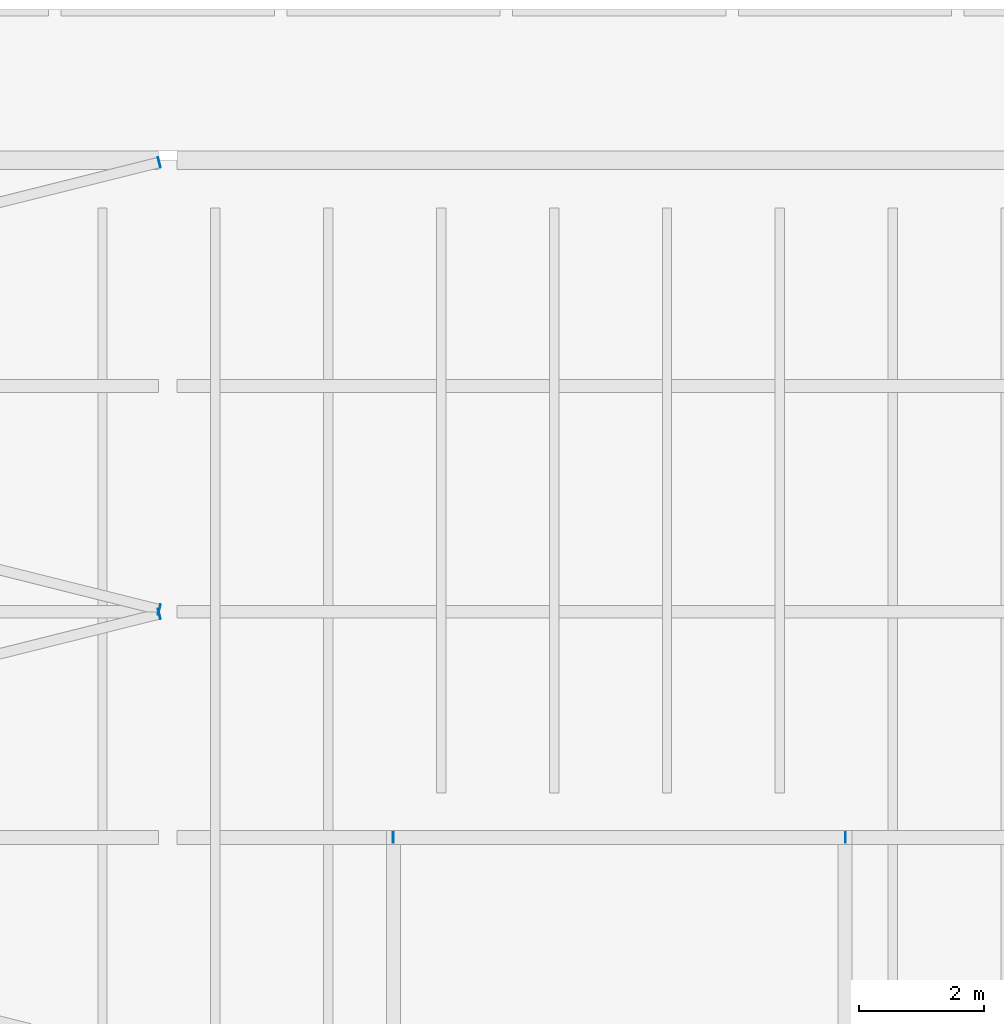
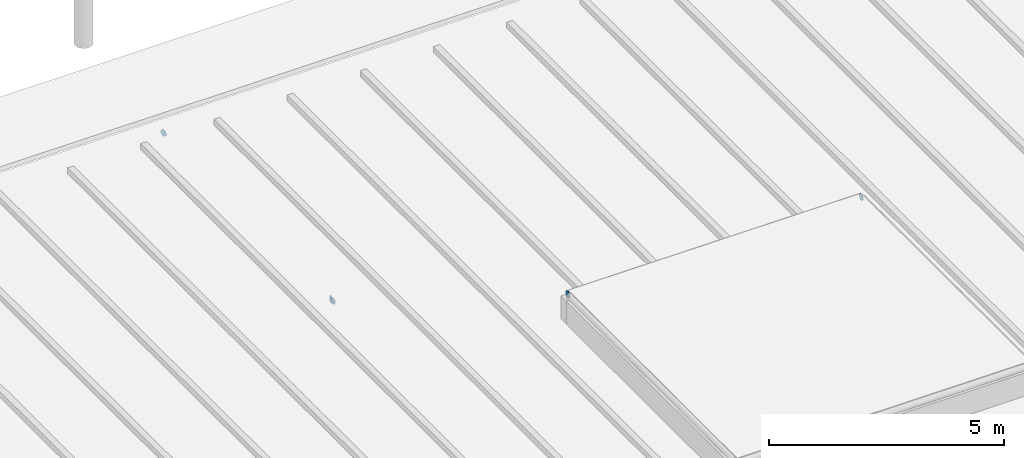
# One storey, part 109 of 120: 5 discrete accessories.
"""IFC4 building model written with IfcOpenShell, lengths in metres."""

from ifc_helpers import new_model, si_unit, direction, frame, origin, origin_2d, place, context, subcontext, project, spatial, circle, extrude, material, layer, layer_set, type_object, element, save


model = new_model("IFC4")

# Units and contexts
model_context = context("Model", 3, precision=1e-05, world=origin(), true_north=direction((0.0, 1.0)))
body_context = subcontext(model_context, "Body", "Model", "MODEL_VIEW")
ifc_project = project(units=[si_unit("LENGTHUNIT", "METRE"), si_unit("AREAUNIT", "SQUARE_METRE"), si_unit("VOLUMEUNIT", "CUBIC_METRE"), si_unit("PLANEANGLEUNIT", "RADIAN"), si_unit("MASSUNIT", "GRAM", prefix="KILO")], contexts=[model_context])

# Site, building, storey
site_placement = place(None, origin())
site = spatial("IfcSite", under=ifc_project, at=site_placement, CompositionType="ELEMENT")
building_placement = place(site_placement, origin())
building = spatial("IfcBuilding", under=site, at=building_placement, Name="Kupolbacken Congress Centre", CompositionType="ELEMENT")
storey_placement = place(building_placement, frame((0.0, 0.0, 21.60009765625)))
storey = spatial("IfcBuildingStorey", under=building, at=storey_placement, Name="L06", CompositionType="ELEMENT", Elevation=21.60009765625)

# Discrete accessories
ifc_material = material(Name="Steel S355", Category="steel")
ifc_layer = layer(ifc_material, 0.011962890625)
ifc_layer_set = layer_set([ifc_layer], Name="Steel S355")
discrete_accessory_type = type_object("IfcDiscreteAccessoryType", Name="EC2 tube end cap plate 168 dia x 12", PredefinedType="BRACKET", material=ifc_layer_set)
for number, where, z_axis, x_axis, name in (
    (1, (165.459228515625, 107.96484375, -0.084228515625), (0.970142500145, 0.242535625036, 0.0), (-0.242535625036, 0.970142500145, 0.0), "End cap plate HR/RB/05-17 B"),
    (2, (165.459228515625, 108.03515625, -0.084228515625), (0.970142500145, -0.242535625036, 0.0), (0.242535625036, 0.970142500145, 0.0), "End cap plate HR/RB/05-18 A"),
    (3, (165.459228515625, 115.164794921875, -0.084228515625), (0.970142500145, 0.242535625036, 0.0), (-0.242535625036, 0.970142500145, 0.0), "End cap plate HR/RB/05-19 B"),
    (4, (169.199951171875, 104.39990234375, 0.944091796875), (-1.0, 0.0, 0.0), (0.0, -1.0, 0.0), "End cap plate RD/RL9/FN A"),
):
    element("IfcDiscreteAccessory", number, at=place(storey_placement, frame(where, z_axis=z_axis, x_axis=x_axis)), inside=storey, type_object=discrete_accessory_type, Name=name, PredefinedType="BRACKET", context=body_context, shape_type="SweptSolid", body=[
        extrude(circle(Radius=0.084228515625, at=origin_2d()), origin(), (0.0, 0.0, 1.0), 0.011962890625),
    ])
discrete_accessory_placement = place(storey_placement, frame((176.39990234375, 104.39990234375, 0.944091796875), z_axis=(1.0, 0.0, 0.0), x_axis=(0.0, 1.0, 0.0)))
element("IfcDiscreteAccessory", 5, at=discrete_accessory_placement, inside=storey, type_object=discrete_accessory_type, Name="End cap plate RD/RL9/FN B", PredefinedType="BRACKET", context=body_context, shape_type="SweptSolid", body=[
    extrude(circle(Radius=0.084228515625, at=origin_2d()), origin(), (0.0, 0.0, 1.0), 0.01220703125),
])

save(model, "model.ifc")
